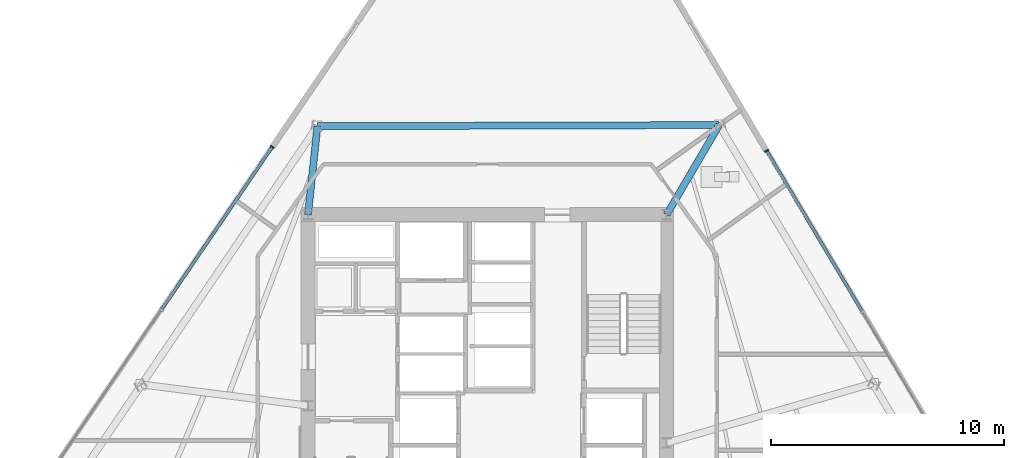
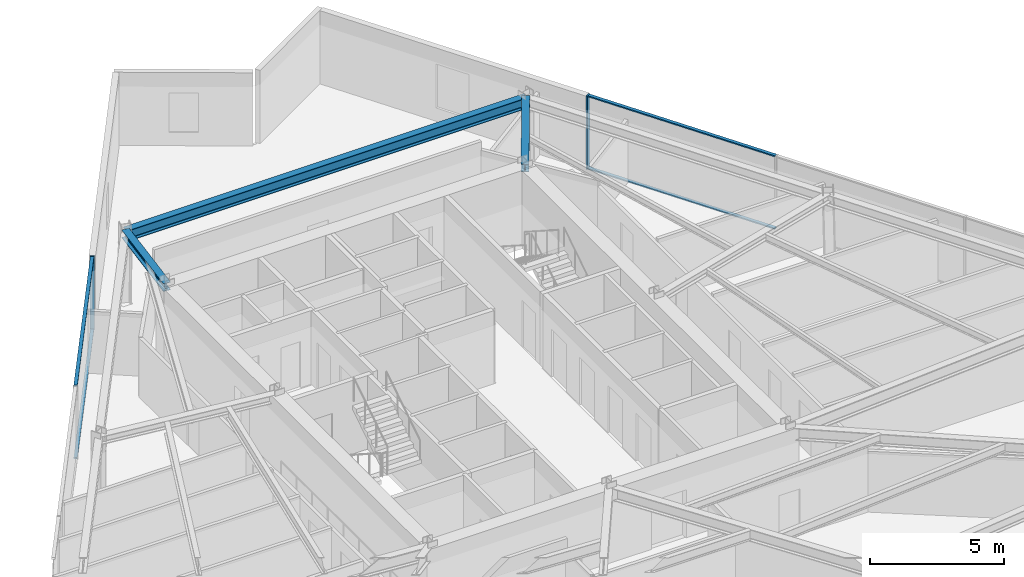
# One storey, part 6 of 15: 6 members, 3 beams, 2 elements without a shape of their own.
"""IFC4 building model written with IfcOpenShell, lengths in metres."""

from ifc_helpers import new_model, si_unit, direction, frame, origin, origin_2d, place, context, subcontext, project, spatial, rectangle, i_section, extrude, material, material_profile, profile_set, type_object, element, aggregate, save


model = new_model("IFC4")

# Units and contexts
model_context = context("Model", 3, precision=1e-05, world=origin(), true_north=direction((0.0, 1.0)))
body_context = subcontext(model_context, "Body", "Model", "MODEL_VIEW")
ifc_project = project(units=[si_unit("LENGTHUNIT", "METRE"), si_unit("AREAUNIT", "SQUARE_METRE"), si_unit("VOLUMEUNIT", "CUBIC_METRE"), si_unit("PLANEANGLEUNIT", "RADIAN"), si_unit("MASSUNIT", "GRAM", prefix="KILO")], contexts=[model_context])

# Site, building, storey
site_placement = place(None, origin())
site = spatial("IfcSite", under=ifc_project, at=site_placement, CompositionType="ELEMENT")
building_placement = place(site_placement, origin())
building = spatial("IfcBuilding", under=site, at=building_placement, Name="Savorim Split Tower", CompositionType="ELEMENT")
storey_placement = place(building_placement, frame((0.0, 0.0, 104.10009765625)))
storey = spatial("IfcBuildingStorey", under=building, at=storey_placement, Name="L27", CompositionType="ELEMENT", Elevation=104.10009765625)

# Beams
ifc_material_1 = material(Name="Steel S355", Category="steel")
ifc_material_profile_1 = material_profile(ifc_material_1, i_section(OverallWidth=0.300048828125, OverallDepth=0.360107421875, WebThickness=0.012451171875, FlangeThickness=0.0224609375, FilletRadius=0.027099609375, at=origin_2d()), Name="HEB 360")
ifc_profile_set_1 = profile_set([ifc_material_profile_1], Name="Steel S355")
beam_type_1 = type_object("IfcBeamType", Name="BM-PRI-HEB360", PredefinedType="BEAM", material=ifc_profile_set_1)
beam_1_placement = place(storey_placement, frame((9.956298828125, 14.049072265625, 3.169921875), z_axis=(-0.50571388252, -0.86270126291, 0.0), x_axis=(0.86270126291, -0.50571388252, 0.0)))
element("IfcBeam", 1, at=beam_1_placement, inside=storey, type_object=beam_type_1, Name="L27 Primary Floor Girder RG-07", PredefinedType="BEAM", context=body_context, shape_type="SweptSolid", body=[
    extrude(i_section(OverallWidth=0.300048828125, OverallDepth=0.360107421875, WebThickness=0.012451171875, FlangeThickness=0.0224609375, FilletRadius=0.027099609375, at=origin_2d()), origin(), (0.0, 0.0, 1.0), 4.461669921875),
])
beam_2_placement = place(storey_placement, frame((-7.29541015625, 14.000244140625, 3.169921875), z_axis=(-0.105851909089, -0.994381905176, 0.0), x_axis=(0.994381905176, -0.105851909089, 0.0)))
element("IfcBeam", 2, at=beam_2_placement, inside=storey, type_object=beam_type_1, Name="L27 Primary Floor Girder RG-08", PredefinedType="BEAM", context=body_context, shape_type="SweptSolid", body=[
    extrude(i_section(OverallWidth=0.300048828125, OverallDepth=0.360107421875, WebThickness=0.012451171875, FlangeThickness=0.0224609375, FilletRadius=0.027099609375, at=origin_2d()), origin(), (0.0, 0.0, 1.0), 3.82177734375),
])
ifc_material_profile_2 = material_profile(ifc_material_1, i_section(OverallWidth=0.300048828125, OverallDepth=0.489990234375, WebThickness=0.011962890625, FlangeThickness=0.02294921875, FilletRadius=0.027099609375, at=origin_2d()), Name="HEA 500")
ifc_profile_set_2 = profile_set([ifc_material_profile_2], Name="Steel S355")
beam_type_2 = type_object("IfcBeamType", Name="BM-SPN-HEA500", PredefinedType="SPANDREL", material=ifc_profile_set_2)
beam_3_placement = place(storey_placement, frame((9.956298828125, 14.049072265625, 3.10498046875), z_axis=(-0.999995994624, -0.0028303242, 0.0), x_axis=(0.0028303242, -0.999995994624, 0.0)))
element("IfcBeam", 3, at=beam_3_placement, inside=storey, type_object=beam_type_2, Name="L27 Perimeter Spandrel Beam 7", PredefinedType="SPANDREL", context=body_context, shape_type="SweptSolid", body=[
    extrude(i_section(OverallWidth=0.300048828125, OverallDepth=0.489990234375, WebThickness=0.011962890625, FlangeThickness=0.02294921875, FilletRadius=0.027099609375, at=origin_2d()), origin(), (0.0, 0.0, 1.0), 17.251708984375),
])

# Curtain wall, member
ifc_material_2 = material(Name="Dark Ceramic-Fritted Insulated Glass", Category="glass")
curtain_wall_type = type_object("IfcCurtainWallType", Name="CW-TWR-FRIT-A", PredefinedType="NOTDEFINED", material=ifc_material_2)
curtain_wall_1_placement = place(storey_placement, origin())
curtain_wall_1 = element("IfcCurtainWall", 4, at=curtain_wall_1_placement, inside=storey, type_object=curtain_wall_type, Name="L27 Curtain Wall CW-L27-EAST", PredefinedType="NOTDEFINED")
ifc_material_3 = material(Name="Charcoal Anodised Aluminium", Category="aluminium")
ifc_material_profile_3 = material_profile(ifc_material_3, rectangle(XDim=0.179931640625, YDim=0.06494140625, at=origin_2d()), Name="ALU-M 180x65")
ifc_profile_set_3 = profile_set([ifc_material_profile_3], Name="Charcoal Anodised Aluminium")
member_type_1 = type_object("IfcMemberType", Name="CWM-180x65", PredefinedType="MULLION", material=ifc_profile_set_3)
member_1_placement = place(storey_placement, frame((11.993408203125, 12.94482421875, 0.0), z_axis=(0.0, 0.0, 1.0), x_axis=(-0.859524537852, -0.511094481315, 0.0)))
member_1 = element("IfcMember", 5, at=member_1_placement, type_object=member_type_1, Name="CW-02 mullion 5", PredefinedType="MULLION", context=body_context, shape_type="SweptSolid", body=[
    extrude(rectangle(XDim=0.179931640625, YDim=0.06494140625, at=origin_2d()), origin(), (0.0, 0.0, 1.0), 3.349853515625),
])

curtain_wall_2_placement = place(storey_placement, origin())
curtain_wall_2 = element("IfcCurtainWall", 6, at=curtain_wall_2_placement, inside=storey, type_object=curtain_wall_type, Name="L27 Curtain Wall CW-L27-WEST", PredefinedType="NOTDEFINED")
member_2_placement = place(storey_placement, frame((-9.235595703125, 13.109130859375, 0.0), z_axis=(0.0, 0.0, 1.0), x_axis=(0.826819383915, -0.562467515846, 0.0)))
member_2 = element("IfcMember", 7, at=member_2_placement, type_object=member_type_1, Name="CW-02 mullion 1", PredefinedType="MULLION", context=body_context, shape_type="SweptSolid", body=[
    extrude(rectangle(XDim=0.179931640625, YDim=0.06494140625, at=origin_2d()), origin(), (0.0, 0.0, 1.0), 3.349853515625),
])

# Member
ifc_material_profile_4 = material_profile(ifc_material_3, rectangle(XDim=0.139892578125, YDim=0.054931640625, at=origin_2d()), Name="ALU-T 140x55")
ifc_profile_set_4 = profile_set([ifc_material_profile_4], Name="Charcoal Anodised Aluminium")
member_type_2 = type_object("IfcMemberType", Name="CWT-140x55", PredefinedType="USERDEFINED", material=ifc_profile_set_4)
member_3_placement = place(storey_placement, frame((16.090087890625, 6.05517578125, 0.02734375), z_axis=(-0.511082720603, 0.859531530952, 0.0), x_axis=(-0.859531530952, -0.511082720603, 0.0)))
member_3 = element("IfcMember", 8, at=member_3_placement, type_object=member_type_2, Name="CW-02 transom 4.1", ObjectType="TRANSOM", PredefinedType="USERDEFINED", context=body_context, shape_type="SweptSolid", body=[
    extrude(rectangle(XDim=0.139892578125, YDim=0.054931640625, at=origin_2d()), origin(), (0.0, 0.0, 1.0), 7.983154296875),
])

member_4_placement = place(storey_placement, frame((16.090087890625, 6.05517578125, 3.322509765625), z_axis=(-0.511082720603, 0.859531530952, 0.0), x_axis=(-0.859531530952, -0.511082720603, 0.0)))
member_4 = element("IfcMember", 9, at=member_4_placement, type_object=member_type_2, Name="CW-02 transom 4.2", ObjectType="TRANSOM", PredefinedType="USERDEFINED", context=body_context, shape_type="SweptSolid", body=[
    extrude(rectangle(XDim=0.139892578125, YDim=0.054931640625, at=origin_2d()), origin(), (0.0, 0.0, 1.0), 7.983154296875),
])

aggregate(curtain_wall_1, [member_1, member_3, member_4])

member_5_placement = place(storey_placement, frame((-9.253662109375, 13.082275390625, 0.02734375), z_axis=(-0.562465211689, -0.826820951379, 0.0), x_axis=(0.826820951379, -0.562465211689, 0.0)))
member_5 = element("IfcMember", 10, at=member_5_placement, type_object=member_type_2, Name="CW-02 transom 1.1", ObjectType="TRANSOM", PredefinedType="USERDEFINED", context=body_context, shape_type="SweptSolid", body=[
    extrude(rectangle(XDim=0.139892578125, YDim=0.054931640625, at=origin_2d()), origin(), (0.0, 0.0, 1.0), 8.390380859375),
])

member_6_placement = place(storey_placement, frame((-9.253662109375, 13.082275390625, 3.322509765625), z_axis=(-0.562465211689, -0.826820951379, 0.0), x_axis=(0.826820951379, -0.562465211689, 0.0)))
member_6 = element("IfcMember", 11, at=member_6_placement, type_object=member_type_2, Name="CW-02 transom 1.2", ObjectType="TRANSOM", PredefinedType="USERDEFINED", context=body_context, shape_type="SweptSolid", body=[
    extrude(rectangle(XDim=0.139892578125, YDim=0.054931640625, at=origin_2d()), origin(), (0.0, 0.0, 1.0), 8.390380859375),
])

aggregate(curtain_wall_2, [member_2, member_5, member_6])

save(model, "model.ifc")
